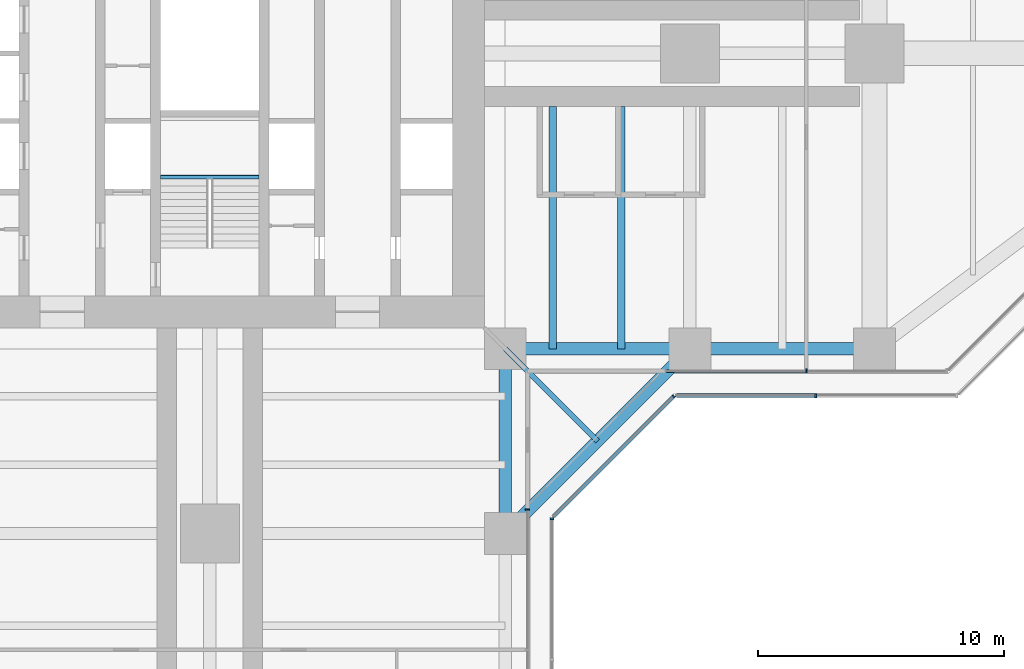
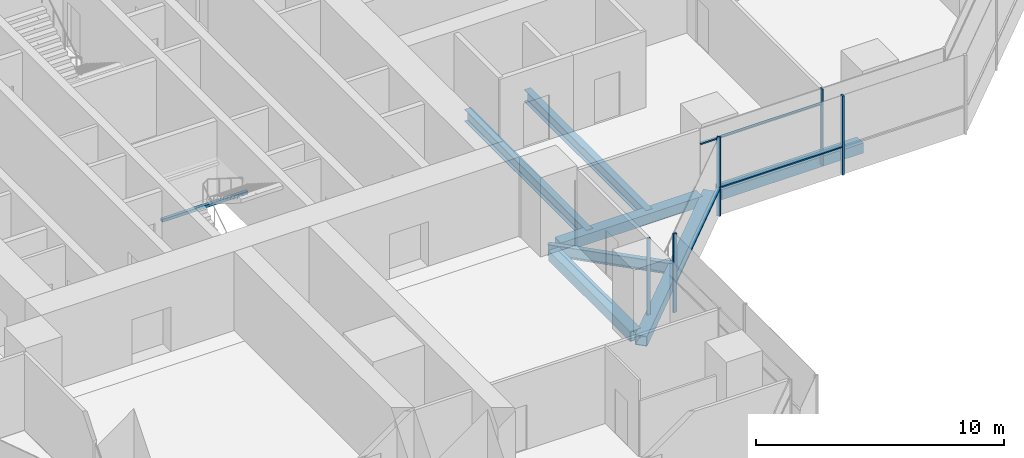
# One storey, part 6 of 22: 8 beams, 8 members, 5 elements without a shape of their own.
"""IFC4 building model written with IfcOpenShell, lengths in metres."""

from ifc_helpers import new_model, si_unit, direction, frame, origin, origin_2d, place, context, subcontext, project, spatial, rectangle, hollow_rectangle, i_section, extrude, material, material_profile, profile_set, type_object, element, aggregate, save


model = new_model("IFC4")

# Units and contexts
model_context = context("Model", 3, precision=1e-05, world=origin(), true_north=direction((0.0, 1.0)))
body_context = subcontext(model_context, "Body", "Model", "MODEL_VIEW")
ifc_project = project(units=[si_unit("LENGTHUNIT", "METRE"), si_unit("AREAUNIT", "SQUARE_METRE"), si_unit("VOLUMEUNIT", "CUBIC_METRE"), si_unit("PLANEANGLEUNIT", "RADIAN"), si_unit("MASSUNIT", "GRAM", prefix="KILO")], contexts=[model_context])

# Site, building, storey
site_placement = place(None, origin())
site = spatial("IfcSite", under=ifc_project, at=site_placement, CompositionType="ELEMENT")
building_placement = place(site_placement, origin())
building = spatial("IfcBuilding", under=site, at=building_placement, Name="Mizan Broadcast Tower", CompositionType="ELEMENT")
storey_placement = place(building_placement, frame((0.0, 0.0, 59.10009765625)))
storey = spatial("IfcBuildingStorey", under=building, at=storey_placement, Name="L11", CompositionType="ELEMENT", Elevation=59.10009765625)

# Beams
ifc_material_1 = material(Name="Steel S355", Category="steel")
ifc_material_profile_1 = material_profile(ifc_material_1, hollow_rectangle(XDim=0.5, YDim=0.5, WallThickness=0.030029296875, at=origin_2d()), Name="BOX 500x500x30")
ifc_profile_set_1 = profile_set([ifc_material_profile_1], Name="Steel S355")
beam_type_1 = type_object("IfcBeamType", Name="EDGE BEAM BOX 500x500x30", PredefinedType="SPANDREL", material=ifc_profile_set_1)
for number, where, z_axis, x_axis, name in (
    (1, (12.449951171875, -12.0, -0.380126953125), (1.0, 0.0, 0.0), (0.0, 1.0, 0.0), "Edge beam BOX 500x500x30 L11 east arm"),
    (2, (19.949951171875, -12.0, -0.380126953125), (1.0, 0.0, 0.0), (0.0, 1.0, 0.0), "Edge beam BOX 500x500x30 L11 east arm"),
    (3, (12.0, -12.449951171875, -0.380126953125), (0.0, -1.0, 0.0), (1.0, 0.0, 0.0), "Edge beam BOX 500x500x30 L11 south arm"),
):
    element("IfcBeam", number, at=place(storey_placement, frame(where, z_axis=z_axis, x_axis=x_axis)), inside=storey, type_object=beam_type_1, Name=name, PredefinedType="SPANDREL", context=body_context, shape_type="SweptSolid", body=[
        extrude(hollow_rectangle(XDim=0.5, YDim=0.5, WallThickness=0.030029296875, at=origin_2d()), origin(), (0.0, 0.0, 1.0), 6.60009765625),
    ])
beam_1_placement = place(storey_placement, frame((12.0, -19.5, -0.380126953125), z_axis=(0.707106781187, 0.707106781187, 0.0), x_axis=(-0.707106781187, 0.707106781187, 0.0)))
element("IfcBeam", 4, at=beam_1_placement, inside=storey, type_object=beam_type_1, Name="Winter garden edge beam L11 S", PredefinedType="SPANDREL", context=body_context, shape_type="SweptSolid", body=[
    extrude(hollow_rectangle(XDim=0.5, YDim=0.5, WallThickness=0.030029296875, at=origin_2d()), origin(), (0.0, 0.0, 1.0), 10.606689453125),
])

# Curtain wall, member
ifc_material_2 = material(Name="Aluminium framed glazing", Category="aluminium")
curtain_wall_type_1 = type_object("IfcCurtainWallType", Name="INNER SKIN LOW ZONE", PredefinedType="USERDEFINED", material=ifc_material_2)
curtain_wall_1_placement = place(storey_placement, origin())
curtain_wall_1 = element("IfcCurtainWall", 5, at=curtain_wall_1_placement, inside=storey, type_object=curtain_wall_type_1, Name="Inner skin low zone L11 E side", ObjectType="INNER SKIN LOW ZONE", PredefinedType="USERDEFINED")
ifc_material_3 = material(Name="Aluminium, pale anodised", Category="aluminium")
ifc_material_profile_2 = material_profile(ifc_material_3, rectangle(XDim=0.159912109375, YDim=0.06005859375, at=origin_2d()), Name="MULLION 160x60")
ifc_profile_set_2 = profile_set([ifc_material_profile_2], Name="Aluminium, pale anodised")
member_type_1 = type_object("IfcMemberType", Name="INNER SKIN MULLION 60x160", PredefinedType="MULLION", material=ifc_profile_set_2)
member_1_placement = place(storey_placement, frame((24.229248046875, -12.89990234375, 0.0), z_axis=(0.0, 0.0, 1.0), x_axis=(0.0, 1.0, 0.0)))
member_1 = element("IfcMember", 6, at=member_1_placement, type_object=member_type_1, Name="Inner skin low zone L11 E side mullion 2", PredefinedType="MULLION", context=body_context, shape_type="SweptSolid", body=[
    extrude(rectangle(XDim=0.159912109375, YDim=0.06005859375, at=origin_2d()), origin(), (0.0, 0.0, 1.0), 3.77001953125),
])

curtain_wall_2_placement = place(storey_placement, origin())
curtain_wall_2 = element("IfcCurtainWall", 7, at=curtain_wall_2_placement, inside=storey, type_object=curtain_wall_type_1, Name="Inner skin low zone L11 S side", ObjectType="INNER SKIN LOW ZONE", PredefinedType="USERDEFINED")
member_2_placement = place(storey_placement, frame((12.89990234375, -18.530029296875, 0.0), z_axis=(0.0, 0.0, 1.0), x_axis=(-1.0, 0.0, 0.0)))
member_2 = element("IfcMember", 8, at=member_2_placement, type_object=member_type_1, Name="Inner skin low zone L11 S side mullion 3", PredefinedType="MULLION", context=body_context, shape_type="SweptSolid", body=[
    extrude(rectangle(XDim=0.159912109375, YDim=0.06005859375, at=origin_2d()), origin(), (0.0, 0.0, 1.0), 3.77001953125),
])
aggregate(curtain_wall_2, [member_2])

# Member
ifc_material_4 = material(Name="Aluminium, pale anodised", Category="aluminium")
ifc_material_profile_3 = material_profile(ifc_material_4, rectangle(XDim=0.1201171875, YDim=0.06005859375, at=origin_2d()), Name="TRANSOM 120x60")
ifc_profile_set_3 = profile_set([ifc_material_profile_3], Name="Aluminium, pale anodised")
member_type_2 = type_object("IfcMemberType", Name="INNER SKIN TRANSOM 60x120", PredefinedType="USERDEFINED", material=ifc_profile_set_3)
member_3_placement = place(storey_placement, frame((18.56005859375, -12.89990234375, 3.02978515625), z_axis=(1.0, 0.0, 0.0), x_axis=(0.0, 1.0, 0.0)))
member_3 = element("IfcMember", 9, at=member_3_placement, type_object=member_type_2, Name="Inner skin low zone L11 E side transom 1.1", ObjectType="TRANSOM", PredefinedType="USERDEFINED", context=body_context, shape_type="SweptSolid", body=[
    extrude(rectangle(XDim=0.1201171875, YDim=0.06005859375, at=origin_2d()), origin(), (0.0, 0.0, 1.0), 5.63916015625),
])

aggregate(curtain_wall_1, [member_1, member_3])

# Beam
ifc_material_5 = material(Name="Steel S355", Category="steel")
ifc_material_profile_4 = material_profile(ifc_material_5, hollow_rectangle(XDim=0.14990234375, YDim=0.14990234375, WallThickness=0.008056640625, InnerFilletRadius=0.008056640625, OuterFilletRadius=0.011962890625, at=origin_2d()), Name="SHS 150x150x8")
ifc_profile_set_4 = profile_set([ifc_material_profile_4], Name="Steel S355")
beam_type_2 = type_object("IfcBeamType", Name="LANDING TRIMMER SHS 150x150x8", PredefinedType="BEAM", material=ifc_profile_set_4)
beam_2_placement = place(storey_placement, frame((-2.0, -5.02490234375, 1.6748046875), z_axis=(1.0, 0.0, 0.0), x_axis=(0.0, 1.0, 0.0)))
element("IfcBeam", 10, at=beam_2_placement, inside=storey, type_object=beam_type_2, Name="Stair A landing trimmer L11", PredefinedType="BEAM", context=body_context, shape_type="SweptSolid", body=[
    extrude(hollow_rectangle(XDim=0.14990234375, YDim=0.14990234375, WallThickness=0.008056640625, InnerFilletRadius=0.008056640625, OuterFilletRadius=0.011962890625, at=origin_2d()), origin(), (0.0, 0.0, 1.0), 4.0),
])

# Curtain wall, member
ifc_material_6 = material(Name="Aluminium framed glazing", Category="aluminium")
curtain_wall_type_2 = type_object("IfcCurtainWallType", Name="OUTER SKIN", PredefinedType="USERDEFINED", material=ifc_material_6)
curtain_wall_3_placement = place(storey_placement, origin())
curtain_wall_3 = element("IfcCurtainWall", 11, at=curtain_wall_3_placement, inside=storey, type_object=curtain_wall_type_2, Name="Outer skin L11 S side", ObjectType="OUTER SKIN", PredefinedType="USERDEFINED")
ifc_material_7 = material(Name="Aluminium, pale anodised", Category="aluminium")
ifc_material_profile_5 = material_profile(ifc_material_7, rectangle(XDim=0.159912109375, YDim=0.080078125, at=origin_2d()), Name="MULLION 160x80")
ifc_profile_set_5 = profile_set([ifc_material_profile_5], Name="Aluminium, pale anodised")
member_type_3 = type_object("IfcMemberType", Name="OUTER SKIN MULLION 80x160", PredefinedType="MULLION", material=ifc_profile_set_5)
member_4_placement = place(storey_placement, frame((13.89990234375, -18.912841796875, 0.0), z_axis=(0.0, 0.0, 1.0), x_axis=(-1.0, 0.0, 0.0)))
member_4 = element("IfcMember", 12, at=member_4_placement, type_object=member_type_3, Name="Outer skin L11 S side mullion 3", PredefinedType="MULLION", context=body_context, shape_type="SweptSolid", body=[
    extrude(rectangle(XDim=0.159912109375, YDim=0.080078125, at=origin_2d()), origin(), (0.0, 0.0, 1.0), 3.89990234375),
])
aggregate(curtain_wall_3, [member_4])

curtain_wall_4_placement = place(storey_placement, origin())
curtain_wall_4 = element("IfcCurtainWall", 13, at=curtain_wall_4_placement, inside=storey, type_object=curtain_wall_type_2, Name="Outer skin L11 E chamfer", ObjectType="OUTER SKIN", PredefinedType="USERDEFINED")
member_5_placement = place(storey_placement, frame((18.844482421875, -13.92822265625, 0.0), z_axis=(0.0, 0.0, 1.0), x_axis=(-0.707106781187, 0.707106781187, 0.0)))
member_5 = element("IfcMember", 14, at=member_5_placement, type_object=member_type_3, Name="Outer skin L11 E chamfer mullion 2", PredefinedType="MULLION", context=body_context, shape_type="SweptSolid", body=[
    extrude(rectangle(XDim=0.159912109375, YDim=0.080078125, at=origin_2d()), origin(), (0.0, 0.0, 1.0), 3.89990234375),
])

curtain_wall_5_placement = place(storey_placement, origin())
curtain_wall_5 = element("IfcCurtainWall", 15, at=curtain_wall_5_placement, inside=storey, type_object=curtain_wall_type_2, Name="Outer skin L11 E side", ObjectType="OUTER SKIN", PredefinedType="USERDEFINED")
member_6_placement = place(storey_placement, frame((24.622802734375, -13.89990234375, 0.0), z_axis=(0.0, 0.0, 1.0), x_axis=(0.0, 1.0, 0.0)))
member_6 = element("IfcMember", 16, at=member_6_placement, type_object=member_type_3, Name="Outer skin L11 E side mullion 2", PredefinedType="MULLION", context=body_context, shape_type="SweptSolid", body=[
    extrude(rectangle(XDim=0.159912109375, YDim=0.080078125, at=origin_2d()), origin(), (0.0, 0.0, 1.0), 3.89990234375),
])

# Member
ifc_material_8 = material(Name="Aluminium, pale anodised", Category="aluminium")
ifc_material_profile_6 = material_profile(ifc_material_8, rectangle(XDim=0.159912109375, YDim=0.06005859375, at=origin_2d()), Name="TRANSOM 160x60")
ifc_profile_set_6 = profile_set([ifc_material_profile_6], Name="Aluminium, pale anodised")
member_type_4 = type_object("IfcMemberType", Name="OUTER SKIN TRANSOM 60x160", PredefinedType="USERDEFINED", material=ifc_profile_set_6)
member_7_placement = place(storey_placement, frame((13.95654296875, -18.816162109375, 1.39990234375), z_axis=(0.707106781187, 0.707106781187, 0.0), x_axis=(-0.707106781187, 0.707106781187, 0.0)))
member_7 = element("IfcMember", 17, at=member_7_placement, type_object=member_type_4, Name="Outer skin L11 E chamfer transom 1.1", ObjectType="TRANSOM", PredefinedType="USERDEFINED", context=body_context, shape_type="SweptSolid", body=[
    extrude(rectangle(XDim=0.159912109375, YDim=0.06005859375, at=origin_2d()), origin(), (0.0, 0.0, 1.0), 6.87255859375),
])

aggregate(curtain_wall_4, [member_5, member_7])

member_8_placement = place(storey_placement, frame((18.952880859375, -13.89990234375, 1.39990234375), z_axis=(1.0, 0.0, 0.0), x_axis=(0.0, 1.0, 0.0)))
member_8 = element("IfcMember", 18, at=member_8_placement, type_object=member_type_4, Name="Outer skin L11 E side transom 1.1", ObjectType="TRANSOM", PredefinedType="USERDEFINED", context=body_context, shape_type="SweptSolid", body=[
    extrude(rectangle(XDim=0.159912109375, YDim=0.06005859375, at=origin_2d()), origin(), (0.0, 0.0, 1.0), 5.6298828125),
])

aggregate(curtain_wall_5, [member_6, member_8])

# Beams
ifc_material_9 = material(Name="Steel S355", Category="steel")
ifc_material_profile_7 = material_profile(ifc_material_9, i_section(OverallWidth=0.300048828125, OverallDepth=0.590087890625, WebThickness=0.012939453125, FlangeThickness=0.02490234375, FilletRadius=0.027099609375, at=origin_2d()), Name="HEA 600")
ifc_profile_set_7 = profile_set([ifc_material_profile_7], Name="Steel S355")
beam_type_3 = type_object("IfcBeamType", Name="SECONDARY BEAM HEA 600", PredefinedType="JOIST", material=ifc_profile_set_7)
for number, where, z_axis, x_axis, name in (
    (19, (13.933349609375, -12.0, -0.425048828125), (0.0, 1.0, 0.0), (-1.0, 0.0, 0.0), "Secondary beam HEA 600 L11 east arm"),
    (20, (16.716552734375, -12.0, -0.425048828125), (0.0, 1.0, 0.0), (-1.0, 0.0, 0.0), "Secondary beam HEA 600 L11 east arm"),
):
    element("IfcBeam", number, at=place(storey_placement, frame(where, z_axis=z_axis, x_axis=x_axis)), inside=storey, type_object=beam_type_3, Name=name, PredefinedType="JOIST", context=body_context, shape_type="SweptSolid", body=[
        extrude(i_section(OverallWidth=0.300048828125, OverallDepth=0.590087890625, WebThickness=0.012939453125, FlangeThickness=0.02490234375, FilletRadius=0.027099609375, at=origin_2d()), origin(), (0.0, 0.0, 1.0), 9.85009765625),
    ])
ifc_material_10 = material(Name="Steel S355", Category="steel")
ifc_material_profile_8 = material_profile(ifc_material_10, i_section(OverallWidth=0.2099609375, OverallDepth=0.550048828125, WebThickness=0.010986328125, FlangeThickness=0.01708984375, FilletRadius=0.02392578125, at=origin_2d()), Name="IPE 550")
ifc_profile_set_8 = profile_set([ifc_material_profile_8], Name="Steel S355")
beam_type_4 = type_object("IfcBeamType", Name="SECONDARY BEAM IPE 550", PredefinedType="JOIST", material=ifc_profile_set_8)
beam_3_placement = place(storey_placement, frame((12.0, -12.0, -0.405029296875), z_axis=(0.707106781187, -0.707106781187, 0.0), x_axis=(0.707106781187, 0.707106781187, 0.0)))
element("IfcBeam", 21, at=beam_3_placement, inside=storey, type_object=beam_type_4, Name="Winter garden beam L11 S", PredefinedType="JOIST", context=body_context, shape_type="SweptSolid", body=[
    extrude(i_section(OverallWidth=0.2099609375, OverallDepth=0.550048828125, WebThickness=0.010986328125, FlangeThickness=0.01708984375, FilletRadius=0.02392578125, at=origin_2d()), origin(), (0.0, 0.0, 1.0), 5.30322265625),
])

save(model, "model.ifc")
